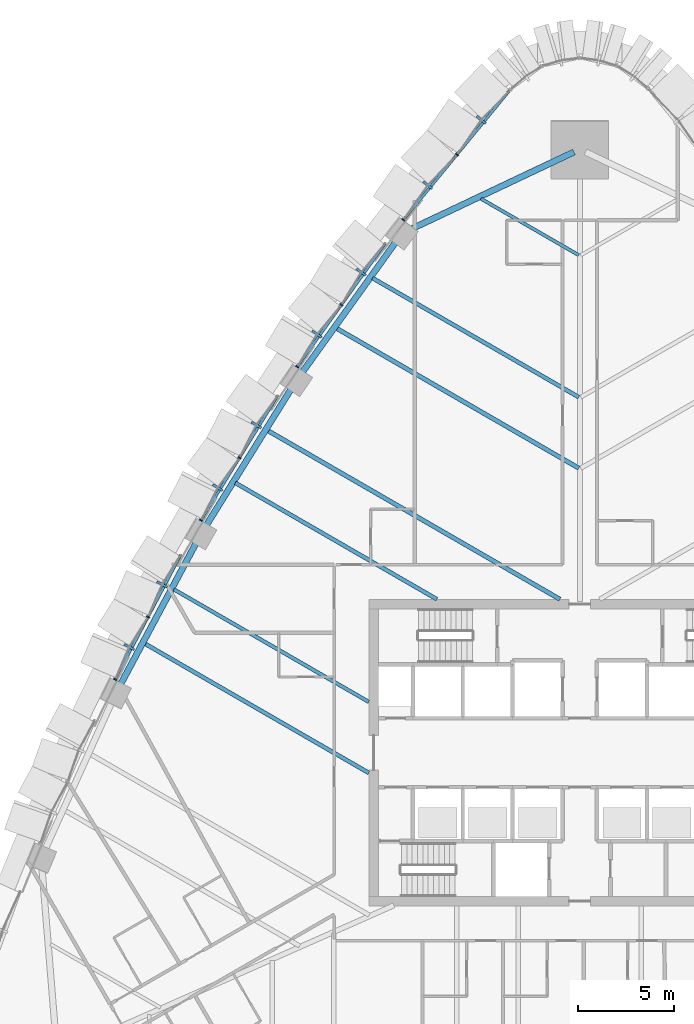
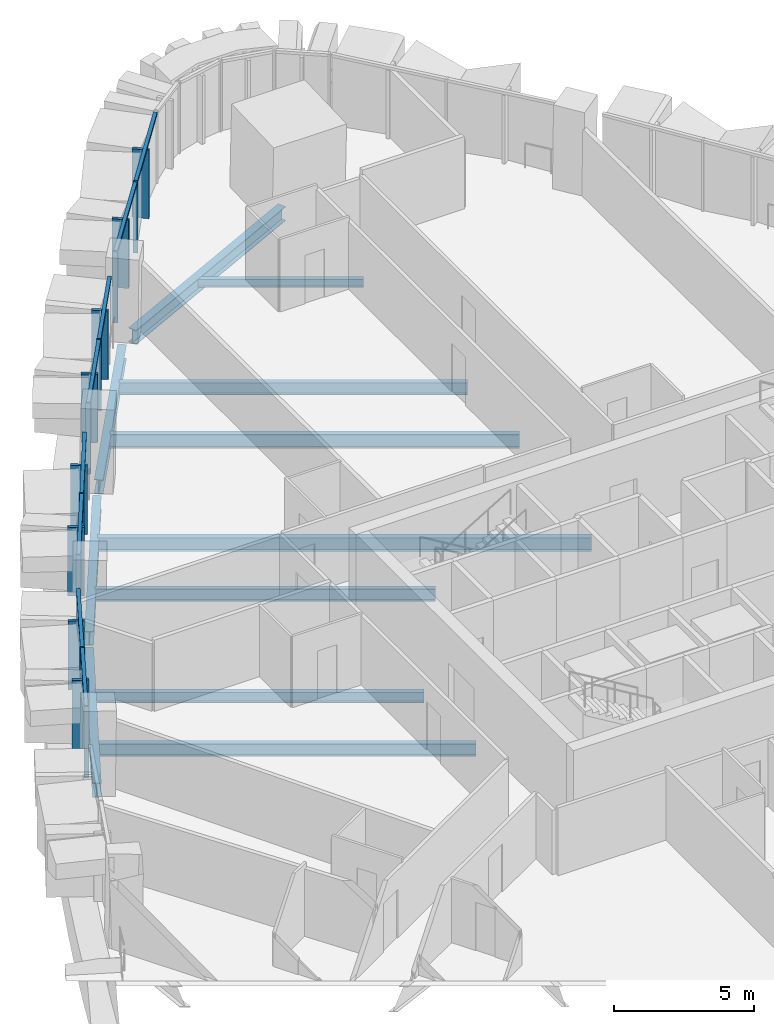
# One storey, part 6 of 27: 24 members, 11 beams, 4 elements without a shape of their own.
"""IFC4 building model written with IfcOpenShell, lengths in metres."""

from ifc_helpers import new_model, si_unit, direction, frame, origin, origin_2d, place, context, subcontext, project, spatial, rectangle, i_section, extrude, material, layer, layer_set, material_profile, profile_set, type_object, element, aggregate, save


model = new_model("IFC4")

# Units and contexts
model_context = context("Model", 3, precision=1e-05, world=origin(), true_north=direction((0.0, 1.0)))
body_context = subcontext(model_context, "Body", "Model", "MODEL_VIEW")
ifc_project = project(units=[si_unit("LENGTHUNIT", "METRE"), si_unit("AREAUNIT", "SQUARE_METRE"), si_unit("VOLUMEUNIT", "CUBIC_METRE"), si_unit("PLANEANGLEUNIT", "RADIAN"), si_unit("MASSUNIT", "GRAM", prefix="KILO")], contexts=[model_context])

# Site, building, storey
site_placement = place(None, origin())
site = spatial("IfcSite", under=ifc_project, at=site_placement, CompositionType="ELEMENT")
building_placement = place(site_placement, origin())
building = spatial("IfcBuilding", under=site, at=building_placement, Name="Sierra Prisma Convention Tower", CompositionType="ELEMENT")
storey_placement = place(building_placement, frame((0.0, 0.0, 48.0)))
storey = spatial("IfcBuildingStorey", under=building, at=storey_placement, Name="L07", CompositionType="ELEMENT", Elevation=48.0)

# Curtain wall, members
ifc_material_1 = material(Name="Aluminium and glass curtain wall", Category="aluminium")
ifc_layer = layer(ifc_material_1, 0.179931640625)
ifc_layer_set = layer_set([ifc_layer], Name="CW-2 Faceted crystal curtain wall")
curtain_wall_type = type_object("IfcCurtainWallType", Name="CW-2 Faceted crystal curtain wall", PredefinedType="NOTDEFINED", material=ifc_layer_set)
curtain_wall_1_placement = place(storey_placement, origin())
curtain_wall_1 = element("IfcCurtainWall", 1, at=curtain_wall_1_placement, inside=storey, type_object=curtain_wall_type, Name="CW-2 NW1 L07", PredefinedType="NOTDEFINED")
ifc_material_2 = material(Name="Aluminium 6063-T6 bronze anodised", Category="aluminium")
ifc_material_profile_1 = material_profile(ifc_material_2, rectangle(XDim=0.1201171875, YDim=0.60009765625, at=origin_2d()), Name="ALU RIDGE BLADE 120x600")
ifc_profile_set_1 = profile_set([ifc_material_profile_1], Name="Aluminium 6063-T6 bronze anodised")
member_type_1 = type_object("IfcMemberType", Name="CW hip bronze", PredefinedType="MULLION", material=ifc_profile_set_1)
member_1_placement = place(storey_placement, frame((-5.13916015625, 32.99072265625, 0.0), z_axis=(0.0, 0.0, 1.0), x_axis=(-0.634349298057, -0.773046549733, 0.0)))
member_1 = element("IfcMember", 2, at=member_1_placement, type_object=member_type_1, Name="CW-2 ridge NW1.1", PredefinedType="MULLION", context=body_context, shape_type="SweptSolid", body=[
    extrude(rectangle(XDim=0.1201171875, YDim=0.60009765625, at=origin_2d()), origin(), (0.0, 0.0, 1.0), 2.97998046875),
])
member_2_placement = place(storey_placement, frame((-7.930908203125, 29.58837890625, 0.0), z_axis=(0.0, 0.0, 1.0), x_axis=(-0.634349298057, -0.773046549733, 0.0)))
member_2 = element("IfcMember", 3, at=member_2_placement, type_object=member_type_1, Name="CW-2 ridge NW1.2", PredefinedType="MULLION", context=body_context, shape_type="SweptSolid", body=[
    extrude(rectangle(XDim=0.1201171875, YDim=0.60009765625, at=origin_2d()), origin(), (0.0, 0.0, 1.0), 2.97998046875),
])

curtain_wall_2_placement = place(storey_placement, origin())
curtain_wall_2 = element("IfcCurtainWall", 4, at=curtain_wall_2_placement, inside=storey, type_object=curtain_wall_type, Name="CW-2 NW2 L07", PredefinedType="NOTDEFINED")
member_3_placement = place(storey_placement, frame((-11.401611328125, 25.05224609375, 0.0), z_axis=(0.0, 0.0, 1.0), x_axis=(-0.580615595089, -0.814177825011, 0.0)))
member_3 = element("IfcMember", 5, at=member_3_placement, type_object=member_type_1, Name="CW-2 ridge NW2.1", PredefinedType="MULLION", context=body_context, shape_type="SweptSolid", body=[
    extrude(rectangle(XDim=0.1201171875, YDim=0.60009765625, at=origin_2d()), origin(), (0.0, 0.0, 1.0), 2.97998046875),
])
member_4_placement = place(storey_placement, frame((-13.704345703125, 21.8232421875, 0.0), z_axis=(0.0, 0.0, 1.0), x_axis=(-0.580615595089, -0.814177825011, 0.0)))
member_4 = element("IfcMember", 6, at=member_4_placement, type_object=member_type_1, Name="CW-2 ridge NW2.2", PredefinedType="MULLION", context=body_context, shape_type="SweptSolid", body=[
    extrude(rectangle(XDim=0.1201171875, YDim=0.60009765625, at=origin_2d()), origin(), (0.0, 0.0, 1.0), 2.97998046875),
])

curtain_wall_3_placement = place(storey_placement, origin())
curtain_wall_3 = element("IfcCurtainWall", 7, at=curtain_wall_3_placement, inside=storey, type_object=curtain_wall_type, Name="CW-2 NW3 L07", PredefinedType="NOTDEFINED")
member_5_placement = place(storey_placement, frame((-16.86474609375, 17.084716796875, 0.0), z_axis=(0.0, 0.0, 1.0), x_axis=(-0.524223199508, -0.851580904611, 0.0)))
member_5 = element("IfcMember", 8, at=member_5_placement, type_object=member_type_1, Name="CW-2 ridge NW3.1", PredefinedType="MULLION", context=body_context, shape_type="SweptSolid", body=[
    extrude(rectangle(XDim=0.1201171875, YDim=0.60009765625, at=origin_2d()), origin(), (0.0, 0.0, 1.0), 2.97998046875),
])
member_6_placement = place(storey_placement, frame((-18.873046875, 13.822265625, 0.0), z_axis=(0.0, 0.0, 1.0), x_axis=(-0.524223199508, -0.851580904611, 0.0)))
member_6 = element("IfcMember", 9, at=member_6_placement, type_object=member_type_1, Name="CW-2 ridge NW3.2", PredefinedType="MULLION", context=body_context, shape_type="SweptSolid", body=[
    extrude(rectangle(XDim=0.1201171875, YDim=0.60009765625, at=origin_2d()), origin(), (0.0, 0.0, 1.0), 2.97998046875),
])

curtain_wall_4_placement = place(storey_placement, origin())
curtain_wall_4 = element("IfcCurtainWall", 10, at=curtain_wall_4_placement, inside=storey, type_object=curtain_wall_type, Name="CW-2 NW4 L07", PredefinedType="NOTDEFINED")
member_7_placement = place(storey_placement, frame((-21.776123046875, 8.775390625, 0.0), z_axis=(0.0, 0.0, 1.0), x_axis=(-0.465430337346, -0.885084516347, 0.0)))
member_7 = element("IfcMember", 11, at=member_7_placement, type_object=member_type_1, Name="CW-2 ridge NW4.1", PredefinedType="MULLION", context=body_context, shape_type="SweptSolid", body=[
    extrude(rectangle(XDim=0.1201171875, YDim=0.60009765625, at=origin_2d()), origin(), (0.0, 0.0, 1.0), 2.97998046875),
])
member_8_placement = place(storey_placement, frame((-23.48876953125, 5.5185546875, 0.0), z_axis=(0.0, 0.0, 1.0), x_axis=(-0.465430337346, -0.885084516347, 0.0)))
member_8 = element("IfcMember", 12, at=member_8_placement, type_object=member_type_1, Name="CW-2 ridge NW4.2", PredefinedType="MULLION", context=body_context, shape_type="SweptSolid", body=[
    extrude(rectangle(XDim=0.1201171875, YDim=0.60009765625, at=origin_2d()), origin(), (0.0, 0.0, 1.0), 2.97998046875),
])

# Member
ifc_material_3 = material(Name="Aluminium 6063-T6 bronze anodised", Category="aluminium")
ifc_material_profile_2 = material_profile(ifc_material_3, rectangle(XDim=0.179931640625, YDim=0.070068359375, at=origin_2d()), Name="ALU MULLION 70x180")
ifc_profile_set_2 = profile_set([ifc_material_profile_2], Name="Aluminium 6063-T6 bronze anodised")
member_type_2 = type_object("IfcMemberType", Name="CW mullion bronze", PredefinedType="MULLION", material=ifc_profile_set_2)
member_9_placement = place(storey_placement, frame((-6.4033203125, 31.181396484375, 0.0), z_axis=(0.0, 0.0, 1.0), x_axis=(0.773046549733, -0.634349298057, 0.0)))
member_9 = element("IfcMember", 13, at=member_9_placement, type_object=member_type_2, Name="CW-1 mullion NW1.2", PredefinedType="MULLION", context=body_context, shape_type="SweptSolid", body=[
    extrude(rectangle(XDim=0.179931640625, YDim=0.070068359375, at=origin_2d()), origin(), (0.0, 0.0, 1.0), 3.10009765625),
])

member_10_placement = place(storey_placement, frame((-9.195068359375, 27.779296875, 0.0), z_axis=(0.0, 0.0, 1.0), x_axis=(0.773046549733, -0.634349298057, 0.0)))
member_10 = element("IfcMember", 14, at=member_10_placement, type_object=member_type_2, Name="CW-1 mullion NW1.3", PredefinedType="MULLION", context=body_context, shape_type="SweptSolid", body=[
    extrude(rectangle(XDim=0.179931640625, YDim=0.070068359375, at=origin_2d()), origin(), (0.0, 0.0, 1.0), 3.10009765625),
])

member_11_placement = place(storey_placement, frame((-12.42822265625, 23.348876953125, 0.0), z_axis=(0.0, 0.0, 1.0), x_axis=(0.814177825011, -0.580615595089, 0.0)))
member_11 = element("IfcMember", 15, at=member_11_placement, type_object=member_type_2, Name="CW-1 mullion NW2.2", PredefinedType="MULLION", context=body_context, shape_type="SweptSolid", body=[
    extrude(rectangle(XDim=0.179931640625, YDim=0.070068359375, at=origin_2d()), origin(), (0.0, 0.0, 1.0), 3.10009765625),
])

member_12_placement = place(storey_placement, frame((-14.73095703125, 20.119873046875, 0.0), z_axis=(0.0, 0.0, 1.0), x_axis=(0.814177825011, -0.580615595089, 0.0)))
member_12 = element("IfcMember", 16, at=member_12_placement, type_object=member_type_2, Name="CW-1 mullion NW2.3", PredefinedType="MULLION", context=body_context, shape_type="SweptSolid", body=[
    extrude(rectangle(XDim=0.179931640625, YDim=0.070068359375, at=origin_2d()), origin(), (0.0, 0.0, 1.0), 3.10009765625),
])

member_13_placement = place(storey_placement, frame((-17.742919921875, 15.3759765625, 0.0), z_axis=(0.0, 0.0, 1.0), x_axis=(0.851580904611, -0.524223199508, 0.0)))
member_13 = element("IfcMember", 17, at=member_13_placement, type_object=member_type_2, Name="CW-1 mullion NW3.2", PredefinedType="MULLION", context=body_context, shape_type="SweptSolid", body=[
    extrude(rectangle(XDim=0.179931640625, YDim=0.070068359375, at=origin_2d()), origin(), (0.0, 0.0, 1.0), 3.10009765625),
])

member_14_placement = place(storey_placement, frame((-19.751220703125, 12.113525390625, 0.0), z_axis=(0.0, 0.0, 1.0), x_axis=(0.851580904611, -0.524223199508, 0.0)))
member_14 = element("IfcMember", 18, at=member_14_placement, type_object=member_type_2, Name="CW-1 mullion NW3.3", PredefinedType="MULLION", context=body_context, shape_type="SweptSolid", body=[
    extrude(rectangle(XDim=0.179931640625, YDim=0.070068359375, at=origin_2d()), origin(), (0.0, 0.0, 1.0), 3.10009765625),
])

member_15_placement = place(storey_placement, frame((-22.506591796875, 7.080810546875, 0.0), z_axis=(0.0, 0.0, 1.0), x_axis=(0.885084516347, -0.465430337346, 0.0)))
member_15 = element("IfcMember", 19, at=member_15_placement, type_object=member_type_2, Name="CW-1 mullion NW4.2", PredefinedType="MULLION", context=body_context, shape_type="SweptSolid", body=[
    extrude(rectangle(XDim=0.179931640625, YDim=0.070068359375, at=origin_2d()), origin(), (0.0, 0.0, 1.0), 3.10009765625),
])

member_16_placement = place(storey_placement, frame((-24.21923828125, 3.823974609375, 0.0), z_axis=(0.0, 0.0, 1.0), x_axis=(0.885084516347, -0.465430337346, 0.0)))
member_16 = element("IfcMember", 20, at=member_16_placement, type_object=member_type_2, Name="CW-1 mullion NW4.3", PredefinedType="MULLION", context=body_context, shape_type="SweptSolid", body=[
    extrude(rectangle(XDim=0.179931640625, YDim=0.070068359375, at=origin_2d()), origin(), (0.0, 0.0, 1.0), 3.10009765625),
])

ifc_material_4 = material(Name="Aluminium 6063-T6 bronze anodised", Category="aluminium")
ifc_material_profile_3 = material_profile(ifc_material_4, rectangle(XDim=0.139892578125, YDim=0.1201171875, at=origin_2d()), Name="ALU TRANSOM 120x140")
ifc_profile_set_3 = profile_set([ifc_material_profile_3], Name="Aluminium 6063-T6 bronze anodised")
member_type_3 = type_object("IfcMemberType", Name="CW transom bronze", PredefinedType="USERDEFINED", material=ifc_profile_set_3)
member_17_placement = place(storey_placement, frame((-3.6337890625, 34.556640625, 3.0400390625), z_axis=(-0.634333024212, -0.773059903496, 0.0), x_axis=(0.773059903496, -0.634333024212, 0.0)))
member_17 = element("IfcMember", 21, at=member_17_placement, type_object=member_type_3, Name="CW-1 transom NW1.1", ObjectType="TRANSOM", PredefinedType="USERDEFINED", context=body_context, shape_type="SweptSolid", body=[
    extrude(rectangle(XDim=0.139892578125, YDim=0.1201171875, at=origin_2d()), origin(), (0.0, 0.0, 1.0), 4.3310546875),
])

member_18_placement = place(storey_placement, frame((-6.425537109375, 31.154296875, 3.0400390625), z_axis=(-0.634360667648, -0.773037219894, 0.0), x_axis=(0.773037219894, -0.634360667648, 0.0)))
member_18 = element("IfcMember", 22, at=member_18_placement, type_object=member_type_3, Name="CW-1 transom NW1.2", ObjectType="TRANSOM", PredefinedType="USERDEFINED", context=body_context, shape_type="SweptSolid", body=[
    extrude(rectangle(XDim=0.139892578125, YDim=0.1201171875, at=origin_2d()), origin(), (0.0, 0.0, 1.0), 4.330810546875),
])

aggregate(curtain_wall_1, [member_9, member_10, member_17, member_1, member_18, member_2])

member_19_placement = place(storey_placement, frame((-10.145751953125, 26.54931640625, 3.0400390625), z_axis=(-0.580627497535, -0.814169336874, 0.0), x_axis=(0.814169336874, -0.580627497535, 0.0)))
member_19 = element("IfcMember", 23, at=member_19_placement, type_object=member_type_3, Name="CW-1 transom NW2.1", ObjectType="TRANSOM", PredefinedType="USERDEFINED", context=body_context, shape_type="SweptSolid", body=[
    extrude(rectangle(XDim=0.139892578125, YDim=0.1201171875, at=origin_2d()), origin(), (0.0, 0.0, 1.0), 3.896240234375),
])

member_20_placement = place(storey_placement, frame((-12.448486328125, 23.3203125, 3.0400390625), z_axis=(-0.580627497535, -0.814169336874, 0.0), x_axis=(0.814169336874, -0.580627497535, 0.0)))
member_20 = element("IfcMember", 24, at=member_20_placement, type_object=member_type_3, Name="CW-1 transom NW2.2", ObjectType="TRANSOM", PredefinedType="USERDEFINED", context=body_context, shape_type="SweptSolid", body=[
    extrude(rectangle(XDim=0.139892578125, YDim=0.1201171875, at=origin_2d()), origin(), (0.0, 0.0, 1.0), 3.896240234375),
])

aggregate(curtain_wall_2, [member_11, member_12, member_19, member_3, member_20, member_4])

member_21_placement = place(storey_placement, frame((-15.7529296875, 18.6083984375, 3.0400390625), z_axis=(-0.52425677962, -0.851560232176, 0.0), x_axis=(0.851560232176, -0.52425677962, 0.0)))
member_21 = element("IfcMember", 25, at=member_21_placement, type_object=member_type_3, Name="CW-1 transom NW3.1", ObjectType="TRANSOM", PredefinedType="USERDEFINED", context=body_context, shape_type="SweptSolid", body=[
    extrude(rectangle(XDim=0.139892578125, YDim=0.1201171875, at=origin_2d()), origin(), (0.0, 0.0, 1.0), 3.760986328125),
])

member_22_placement = place(storey_placement, frame((-17.76123046875, 15.34619140625, 3.0400390625), z_axis=(-0.524227800331, -0.851578072381, 0.0), x_axis=(0.851578072381, -0.524227800331, 0.0)))
member_22 = element("IfcMember", 26, at=member_22_placement, type_object=member_type_3, Name="CW-1 transom NW3.2", ObjectType="TRANSOM", PredefinedType="USERDEFINED", context=body_context, shape_type="SweptSolid", body=[
    extrude(rectangle(XDim=0.139892578125, YDim=0.1201171875, at=origin_2d()), origin(), (0.0, 0.0, 1.0), 3.76123046875),
])

aggregate(curtain_wall_3, [member_13, member_14, member_21, member_5, member_22, member_6])

member_23_placement = place(storey_placement, frame((-20.810302734375, 10.306640625, 3.0400390625), z_axis=(-0.465409095105, -0.885095686462, 0.0), x_axis=(0.885095686462, -0.465409095105, 0.0)))
member_23 = element("IfcMember", 27, at=member_23_placement, type_object=member_type_3, Name="CW-1 transom NW4.1", ObjectType="TRANSOM", PredefinedType="USERDEFINED", context=body_context, shape_type="SweptSolid", body=[
    extrude(rectangle(XDim=0.139892578125, YDim=0.1201171875, at=origin_2d()), origin(), (0.0, 0.0, 1.0), 3.609619140625),
])

member_24_placement = place(storey_placement, frame((-22.52294921875, 7.0498046875, 3.0400390625), z_axis=(-0.465409095105, -0.885095686462, 0.0), x_axis=(0.885095686462, -0.465409095105, 0.0)))
member_24 = element("IfcMember", 28, at=member_24_placement, type_object=member_type_3, Name="CW-1 transom NW4.2", ObjectType="TRANSOM", PredefinedType="USERDEFINED", context=body_context, shape_type="SweptSolid", body=[
    extrude(rectangle(XDim=0.139892578125, YDim=0.1201171875, at=origin_2d()), origin(), (0.0, 0.0, 1.0), 3.609619140625),
])

aggregate(curtain_wall_4, [member_15, member_16, member_23, member_7, member_24, member_8])

# Beams
ifc_material_5 = material(Name="Steel ASTM A992 Gr 50", Category="steel")
ifc_material_profile_4 = material_profile(ifc_material_5, i_section(OverallWidth=0.172119140625, OverallDepth=0.35791015625, WebThickness=0.0078125, FlangeThickness=0.01318359375, at=origin_2d()), Name="W360x57")
ifc_profile_set_4 = profile_set([ifc_material_profile_4], Name="Steel ASTM A992 Gr 50")
beam_type_1 = type_object("IfcBeamType", Name="Floor joist W360x57", PredefinedType="JOIST", material=ifc_profile_set_4)
beam_1_placement = place(storey_placement, frame((-5.1552734375, 28.88134765625, -0.3291015625), z_axis=(0.866026180301, -0.499998655032, 0.0), x_axis=(0.499998655032, 0.866026180301, 0.0)))
element("IfcBeam", 29, at=beam_1_placement, inside=storey, type_object=beam_type_1, Name="Floor joist L07 NW02", PredefinedType="JOIST", context=body_context, shape_type="SweptSolid", body=[
    extrude(i_section(OverallWidth=0.172119140625, OverallDepth=0.35791015625, WebThickness=0.0078125, FlangeThickness=0.01318359375, at=origin_2d()), origin(), (0.0, 0.0, 1.0), 5.8916015625),
])
ifc_material_6 = material(Name="Steel ASTM A992 Gr 50", Category="steel")
ifc_material_profile_5 = material_profile(ifc_material_6, i_section(OverallWidth=0.18994140625, OverallDepth=0.45703125, WebThickness=0.009033203125, FlangeThickness=0.014404296875, at=origin_2d()), Name="W460x74")
ifc_profile_set_5 = profile_set([ifc_material_profile_5], Name="Steel ASTM A992 Gr 50")
beam_type_2 = type_object("IfcBeamType", Name="Floor joist W460x74", PredefinedType="JOIST", material=ifc_profile_set_5)
beam_2_placement = place(storey_placement, frame((-21.16259765625, 8.517578125, -0.37841796875), z_axis=(0.866023442616, -0.500003396829, 0.0), x_axis=(0.500003396829, 0.866023442616, 0.0)))
element("IfcBeam", 30, at=beam_2_placement, inside=storey, type_object=beam_type_2, Name="Floor joist L07 NW10", PredefinedType="JOIST", context=body_context, shape_type="SweptSolid", body=[
    extrude(i_section(OverallWidth=0.18994140625, OverallDepth=0.45703125, WebThickness=0.009033203125, FlangeThickness=0.014404296875, at=origin_2d()), origin(), (0.0, 0.0, 1.0), 11.73486328125),
])
ifc_material_7 = material(Name="Steel ASTM A992 Gr 50", Category="steel")
ifc_material_profile_6 = material_profile(ifc_material_7, i_section(OverallWidth=0.208984375, OverallDepth=0.532958984375, WebThickness=0.01025390625, FlangeThickness=0.015625, at=origin_2d()), Name="W530x92")
ifc_profile_set_6 = profile_set([ifc_material_profile_6], Name="Steel ASTM A992 Gr 50")
beam_type_3 = type_object("IfcBeamType", Name="Floor joist W530x92", PredefinedType="JOIST", material=ifc_profile_set_6)
beam_3_placement = place(storey_placement, frame((-10.803955078125, 24.7412109375, -0.41650390625), z_axis=(0.866027076738, -0.499997102348, 0.0), x_axis=(0.499997102348, 0.866027076738, 0.0)))
element("IfcBeam", 31, at=beam_3_placement, inside=storey, type_object=beam_type_3, Name="Floor joist L07 NW04", PredefinedType="JOIST", context=body_context, shape_type="SweptSolid", body=[
    extrude(i_section(OverallWidth=0.208984375, OverallDepth=0.532958984375, WebThickness=0.01025390625, FlangeThickness=0.015625, at=origin_2d()), origin(), (0.0, 0.0, 1.0), 12.4140625),
])
beam_4_placement = place(storey_placement, frame((-17.957763671875, 14.068603515625, -0.41650390625), z_axis=(0.866027481025, -0.499996402096, 0.0), x_axis=(0.499996402096, 0.866027481025, 0.0)))
element("IfcBeam", 32, at=beam_4_placement, inside=storey, type_object=beam_type_3, Name="Floor joist L07 NW08", PredefinedType="JOIST", context=body_context, shape_type="SweptSolid", body=[
    extrude(i_section(OverallWidth=0.208984375, OverallDepth=0.532958984375, WebThickness=0.01025390625, FlangeThickness=0.015625, at=origin_2d()), origin(), (0.0, 0.0, 1.0), 12.13720703125),
])
beam_5_placement = place(storey_placement, frame((-22.673828125, 5.689208984375, -0.41650390625), z_axis=(0.866029956157, -0.499992114976, 0.0), x_axis=(0.499992114976, 0.866029956157, 0.0)))
element("IfcBeam", 33, at=beam_5_placement, inside=storey, type_object=beam_type_3, Name="Floor joist L07 NW11", PredefinedType="JOIST", context=body_context, shape_type="SweptSolid", body=[
    extrude(i_section(OverallWidth=0.208984375, OverallDepth=0.532958984375, WebThickness=0.01025390625, FlangeThickness=0.015625, at=origin_2d()), origin(), (0.0, 0.0, 1.0), 13.479736328125),
])
ifc_material_8 = material(Name="Steel ASTM A992 Gr 50", Category="steel")
ifc_material_profile_7 = material_profile(ifc_material_8, i_section(OverallWidth=0.22802734375, OverallDepth=0.60302734375, WebThickness=0.010498046875, FlangeThickness=0.014892578125, at=origin_2d()), Name="W610x101")
ifc_profile_set_7 = profile_set([ifc_material_profile_7], Name="Steel ASTM A992 Gr 50")
beam_type_4 = type_object("IfcBeamType", Name="Floor joist W610x101", PredefinedType="JOIST", material=ifc_profile_set_7)
beam_6_placement = place(storey_placement, frame((-12.68115234375, 22.124267578125, -0.451416015625), z_axis=(0.86602861311, -0.499994441243, 0.0), x_axis=(0.499994441243, 0.86602861311, 0.0)))
element("IfcBeam", 34, at=beam_6_placement, inside=storey, type_object=beam_type_4, Name="Floor joist L07 NW05", PredefinedType="JOIST", context=body_context, shape_type="SweptSolid", body=[
    extrude(i_section(OverallWidth=0.22802734375, OverallDepth=0.60302734375, WebThickness=0.010498046875, FlangeThickness=0.014892578125, at=origin_2d()), origin(), (0.0, 0.0, 1.0), 14.581787109375),
])
beam_7_placement = place(storey_placement, frame((-16.263916015625, 16.79150390625, -0.451416015625), z_axis=(0.86602488455, -0.500000899339, 0.0), x_axis=(0.500000899339, 0.86602488455, 0.0)))
element("IfcBeam", 35, at=beam_7_placement, inside=storey, type_object=beam_type_4, Name="Floor joist L07 NW07", PredefinedType="JOIST", context=body_context, shape_type="SweptSolid", body=[
    extrude(i_section(OverallWidth=0.22802734375, OverallDepth=0.60302734375, WebThickness=0.010498046875, FlangeThickness=0.014892578125, at=origin_2d()), origin(), (0.0, 0.0, 1.0), 17.5830078125),
])
ifc_material_9 = material(Name="Steel ASTM A992 Gr 50", Category="steel")
ifc_material_profile_8 = material_profile(ifc_material_9, i_section(OverallWidth=0.324951171875, OverallDepth=0.615966796875, WebThickness=0.013916015625, FlangeThickness=0.021484375, at=origin_2d()), Name="W610x174")
ifc_profile_set_8 = profile_set([ifc_material_profile_8], Name="Steel ASTM A992 Gr 50")
beam_type_5 = type_object("IfcBeamType", Name="Spandrel beam W610x174", PredefinedType="BEAM", material=ifc_profile_set_8)
beam_8_placement = place(storey_placement, frame((-0.300048828125, 31.314208984375, -0.4580078125), z_axis=(-0.903839082857, -0.42787254212, 0.0), x_axis=(0.42787254212, -0.903839082857, 0.0)))
element("IfcBeam", 36, at=beam_8_placement, inside=storey, type_object=beam_type_5, Name="Spandrel L07-13", PredefinedType="BEAM", context=body_context, shape_type="SweptSolid", body=[
    extrude(i_section(OverallWidth=0.324951171875, OverallDepth=0.615966796875, WebThickness=0.013916015625, FlangeThickness=0.021484375, at=origin_2d()), origin(), (0.0, 0.0, 1.0), 9.3759765625),
])
beam_9_placement = place(storey_placement, frame((-9.55517578125, 26.675048828125, -0.4580078125), z_axis=(-0.582917395344, -0.812531421057, 0.0), x_axis=(0.812531421057, -0.582917395344, 0.0)))
element("IfcBeam", 37, at=beam_9_placement, inside=storey, type_object=beam_type_5, Name="Spandrel L07-14", PredefinedType="BEAM", context=body_context, shape_type="SweptSolid", body=[
    extrude(i_section(OverallWidth=0.324951171875, OverallDepth=0.615966796875, WebThickness=0.013916015625, FlangeThickness=0.021484375, at=origin_2d()), origin(), (0.0, 0.0, 1.0), 8.4658203125),
])
beam_10_placement = place(storey_placement, frame((-15.023681640625, 18.998291015625, -0.4580078125), z_axis=(-0.528216876059, -0.849109493438, 0.0), x_axis=(0.849109493438, -0.528216876059, 0.0)))
element("IfcBeam", 38, at=beam_10_placement, inside=storey, type_object=beam_type_5, Name="Spandrel L07-15", PredefinedType="BEAM", context=body_context, shape_type="SweptSolid", body=[
    extrude(i_section(OverallWidth=0.324951171875, OverallDepth=0.615966796875, WebThickness=0.013916015625, FlangeThickness=0.021484375, at=origin_2d()), origin(), (0.0, 0.0, 1.0), 8.465576171875),
])
beam_11_placement = place(storey_placement, frame((-19.975341796875, 10.978515625, -0.4580078125), z_axis=(-0.471251190112, -0.881999045248, 0.0), x_axis=(0.881999045248, -0.471251190112, 0.0)))
element("IfcBeam", 39, at=beam_11_placement, inside=storey, type_object=beam_type_5, Name="Spandrel L07-16", PredefinedType="BEAM", context=body_context, shape_type="SweptSolid", body=[
    extrude(i_section(OverallWidth=0.324951171875, OverallDepth=0.615966796875, WebThickness=0.013916015625, FlangeThickness=0.021484375, at=origin_2d()), origin(), (0.0, 0.0, 1.0), 8.4658203125),
])

save(model, "model.ifc")
